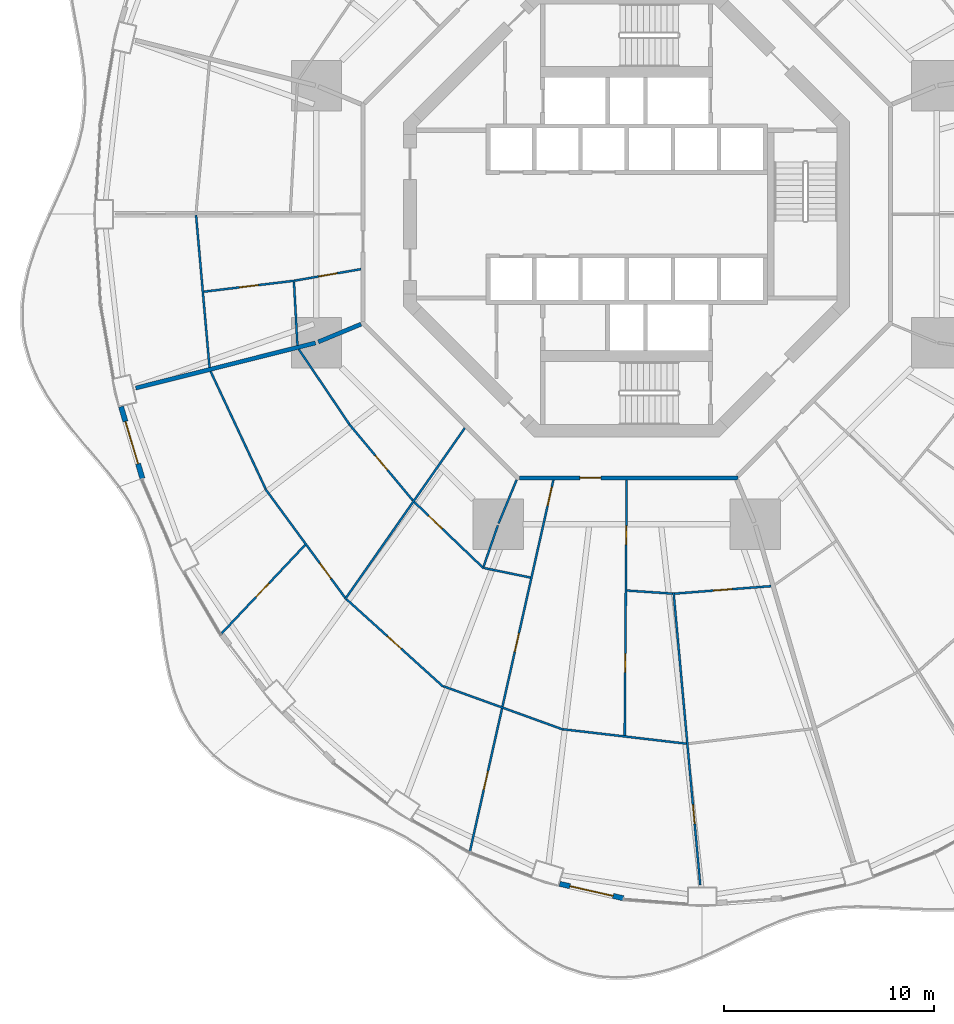
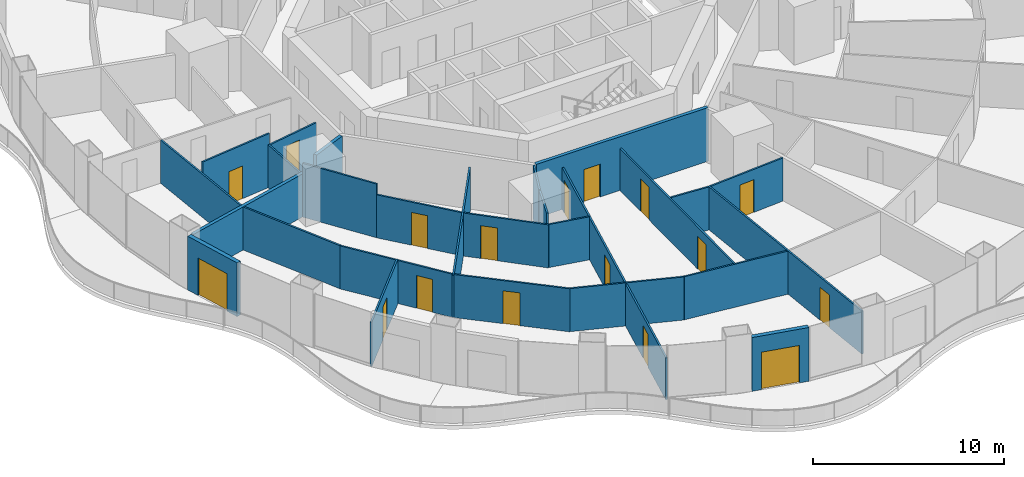
# One storey, part 14 of 22: 27 walls, 17 doors, 17 openings.
"""IFC4 building model written with IfcOpenShell, lengths in metres."""

from ifc_helpers import new_model, si_unit, direction, frame, frame_2d, origin, place, context, subcontext, project, spatial, rectangle, extrude, material, layer, layer_set, type_object, element, fill, save


model = new_model("IFC4")

# Units and contexts
model_context = context("Model", 3, precision=1e-05, world=origin(), true_north=direction((0.0, 1.0)))
body_context = subcontext(model_context, "Body", "Model", "MODEL_VIEW")
ifc_project = project(units=[si_unit("LENGTHUNIT", "METRE"), si_unit("AREAUNIT", "SQUARE_METRE"), si_unit("VOLUMEUNIT", "CUBIC_METRE"), si_unit("PLANEANGLEUNIT", "RADIAN"), si_unit("MASSUNIT", "GRAM", prefix="KILO")], contexts=[model_context])

# Site, building, storey
site_placement = place(None, origin())
site = spatial("IfcSite", under=ifc_project, at=site_placement, CompositionType="ELEMENT")
building_placement = place(site_placement, origin())
building = spatial("IfcBuilding", under=site, at=building_placement, Name="Nagisa Residences", CompositionType="ELEMENT")
storey_placement = place(building_placement, frame((0.0, 0.0, 49.199951171875)))
storey = spatial("IfcBuildingStorey", under=building, at=storey_placement, Name="L11", CompositionType="ELEMENT", Elevation=49.199951171875)

# Walls
ifc_material_1 = material(Name="Gypsum board on steel studs", Category="steel")
ifc_layer_1 = layer(ifc_material_1, 0.199951171875)
ifc_layer_set_1 = layer_set([ifc_layer_1], Name="Apartment compartment wall EI60 200")
wall_type_1 = type_object("IfcWallType", Name="Apartment compartment wall EI60 200", PredefinedType="PARTITIONING", material=ifc_layer_set_1)
wall_1_placement = place(storey_placement, frame((-12.6572265625, -5.24267578125, 0.0), z_axis=(0.0, 0.0, 1.0), x_axis=(-0.923885664896, -0.382668627144, 0.0)))
element("IfcWall", 1, at=wall_1_placement, inside=storey, type_object=wall_type_1, Name="wall:L11:u06", PredefinedType="PARTITIONING", context=body_context, shape_type="SweptSolid", body=[
    extrude(rectangle(XDim=2.200439453125, YDim=0.199951171875, at=frame_2d((1.10009765625, 0.0))), origin(), (0.0, 0.0, 1.0), 3.43994140625),
])
wall_2_placement = place(storey_placement, frame((-14.83056640625, -6.135009765625, 0.0), z_axis=(0.0, 0.0, 1.0), x_axis=(-0.969884949569, -0.243563512454, 0.0)))
element("IfcWall", 2, at=wall_2_placement, inside=storey, type_object=wall_type_1, Name="wall:L11:u07", PredefinedType="PARTITIONING", context=body_context, shape_type="SweptSolid", body=[
    extrude(rectangle(XDim=8.828857421875, YDim=0.199951171875, at=frame_2d((4.41455078125, 0.0))), origin(), (0.0, 0.0, 1.0), 2.756103515625),
])

# Wall, opening, door
ifc_material_2 = material(Name="Gypsum board on steel studs", Category="steel")
ifc_layer_2 = layer(ifc_material_2, 0.199951171875)
ifc_layer_set_2 = layer_set([ifc_layer_2], Name="Apartment entry wall EI60 200")
wall_type_2 = type_object("IfcWallType", Name="Apartment entry wall EI60 200", PredefinedType="PARTITIONING", material=ifc_layer_set_2)
wall_3_placement = place(storey_placement, frame((-5.1044921875, -12.564697265625, 0.0), z_axis=(0.0, 0.0, 1.0), x_axis=(1.0, 0.0, 0.0)))
wall_3 = element("IfcWall", 3, at=wall_3_placement, inside=storey, type_object=wall_type_2, Name="wall:L11:u16", PredefinedType="PARTITIONING", context=body_context, shape_type="SweptSolid", body=[
    extrude(rectangle(XDim=10.408935546875, YDim=0.199951171875, at=frame_2d((5.20458984375, 0.0))), origin(), (0.0, 0.0, 1.0), 3.43994140625),
])
opening_1_placement = place(wall_3_placement, frame((2.86962890625, 0.0, 0.0)))
opening_1 = element("IfcOpeningElement", 4, at=opening_1_placement, cuts=wall_3, Name="Opening L11-U15", PredefinedType="OPENING", context=body_context, shape_type="SweptSolid", body=[
    extrude(rectangle(XDim=1.0, YDim=2.10009765625, at=frame_2d((0.5, 1.050048828125))), frame((0.0, 0.10986328125, 0.0), z_axis=(0.0, -1.0, 0.0), x_axis=(1.0, 0.0, 0.0)), (0.0, 0.0, 1.0), 0.219970703125),
])
ifc_material_3 = material(Name="Timber fire door set", Category="wood")
door_type_1 = type_object("IfcDoorType", Name="Apartment entry door FD30S 1000x2100", OperationType="NOTDEFINED", PredefinedType="DOOR", material=ifc_material_3)
door_1_placement = place(opening_1_placement, frame((1.0, 0.0, 0.0), x_axis=(-1.0, 0.0, 0.0)))
door_1 = element("IfcDoor", 5, at=door_1_placement, inside=storey, type_object=door_type_1, Name="Entry door, Apartment 11C", OperationType="SINGLE_SWING_RIGHT", OverallHeight=2.10009765625, OverallWidth=1.0, PredefinedType="DOOR", context=body_context, shape_type="SweptSolid", body=[
    extrude(rectangle(XDim=1.0, YDim=2.10009765625, at=frame_2d((0.5, 1.050048828125))), frame((0.0, 0.02490234375, 0.0), z_axis=(0.0, -1.0, 0.0), x_axis=(1.0, 0.0, 0.0)), (0.0, 0.0, 1.0), 0.050048828125),
])
fill(opening_1, door_1)

# Wall
ifc_material_4 = material(Name="Gypsum board on steel studs", Category="steel")
ifc_layer_3 = layer(ifc_material_4, 0.10009765625)
ifc_layer_set_3 = layer_set([ifc_layer_3], Name="Apartment partition 100")
wall_type_3 = type_object("IfcWallType", Name="Apartment partition 100", PredefinedType="PARTITIONING", material=ifc_layer_set_3)
wall_4_placement = place(storey_placement, frame((-20.518310546875, -0.0498046875, 0.0), z_axis=(0.0, 0.0, 1.0), x_axis=(0.088143415068, -0.996107794558, 0.0)))
element("IfcWall", 6, at=wall_4_placement, inside=storey, type_object=wall_type_3, Name="wall:L11:u56", PredefinedType="PARTITIONING", context=body_context, shape_type="SweptSolid", body=[
    extrude(rectangle(XDim=7.279052734375, YDim=0.10009765625, at=frame_2d((3.6396484375, 0.0))), origin(), (0.0, 0.0, 1.0), 2.756103515625),
])

# Wall, opening, door
wall_5_placement = place(storey_placement, frame((-12.663330078125, -2.619384765625, 0.0), z_axis=(0.0, 0.0, 1.0), x_axis=(-0.985220176102, -0.171292745325, 0.0)))
wall_5 = element("IfcWall", 7, at=wall_5_placement, inside=storey, type_object=wall_type_3, Name="wall:L11:u57", PredefinedType="PARTITIONING", context=body_context, shape_type="SweptSolid", body=[
    extrude(rectangle(XDim=3.191162109375, YDim=0.10009765625, at=frame_2d((1.595703125, 0.0))), origin(), (0.0, 0.0, 1.0), 2.68701171875),
])
opening_2_placement = place(wall_5_placement, frame((1.1455078125, 0.0, 0.0)))
opening_2 = element("IfcOpeningElement", 8, at=opening_2_placement, cuts=wall_5, Name="Opening L11-U10", PredefinedType="OPENING", context=body_context, shape_type="SweptSolid", body=[
    extrude(rectangle(XDim=0.89990234375, YDim=2.10009765625, at=frame_2d((0.449951171875, 1.050048828125))), frame((0.0, 0.06005859375, 0.0), z_axis=(0.0, -1.0, 0.0), x_axis=(1.0, 0.0, 0.0)), (0.0, 0.0, 1.0), 0.1201171875),
])
ifc_material_5 = material(Name="Timber door set", Category="wood")
door_type_2 = type_object("IfcDoorType", Name="Apartment door 900x2100", OperationType="NOTDEFINED", PredefinedType="DOOR", material=ifc_material_5)
door_2_placement = place(opening_2_placement, origin())
door_2 = element("IfcDoor", 9, at=door_2_placement, inside=storey, type_object=door_type_2, Name="Door to family bathroom, Apartment 11B", OperationType="SINGLE_SWING_RIGHT", OverallHeight=2.10009765625, OverallWidth=0.89990234375, PredefinedType="DOOR", context=body_context, shape_type="SweptSolid", body=[
    extrude(rectangle(XDim=0.89990234375, YDim=2.10009765625, at=frame_2d((0.449951171875, 1.050048828125))), frame((0.0, 0.02490234375, 0.0), z_axis=(0.0, -1.0, 0.0), x_axis=(1.0, 0.0, 0.0)), (0.0, 0.0, 1.0), 0.050048828125),
])
fill(opening_2, door_2)

wall_6_placement = place(storey_placement, frame((-15.806884765625, -3.16845703125, 0.0), z_axis=(0.0, 0.0, 1.0), x_axis=(-0.992741666002, -0.120266306938, 0.0)))
wall_6 = element("IfcWall", 10, at=wall_6_placement, inside=storey, type_object=wall_type_3, Name="wall:L11:u58", PredefinedType="PARTITIONING", context=body_context, shape_type="SweptSolid", body=[
    extrude(rectangle(XDim=4.37060546875, YDim=0.10009765625, at=frame_2d((2.185302734375, 0.0))), origin(), (0.0, 0.0, 1.0), 3.43994140625),
])
opening_3_placement = place(wall_6_placement, frame((1.76025390625, 0.0, 0.0)))
opening_3 = element("IfcOpeningElement", 11, at=opening_3_placement, cuts=wall_6, Name="Opening L11-U12", PredefinedType="OPENING", context=body_context, shape_type="SweptSolid", body=[
    extrude(rectangle(XDim=0.89990234375, YDim=2.10009765625, at=frame_2d((0.449951171875, 1.050048828125))), frame((0.0, 0.06005859375, 0.0), z_axis=(0.0, -1.0, 0.0), x_axis=(1.0, 0.0, 0.0)), (0.0, 0.0, 1.0), 0.1201171875),
])
door_3_placement = place(opening_3_placement, origin())
door_3 = element("IfcDoor", 12, at=door_3_placement, inside=storey, type_object=door_type_2, Name="Door to family bathroom, Apartment 11B", OperationType="SINGLE_SWING_RIGHT", OverallHeight=2.10009765625, OverallWidth=0.89990234375, PredefinedType="DOOR", context=body_context, shape_type="SweptSolid", body=[
    extrude(rectangle(XDim=0.89990234375, YDim=2.10009765625, at=frame_2d((0.449951171875, 1.050048828125))), frame((0.0, 0.02490234375, 0.0), z_axis=(0.0, -1.0, 0.0), x_axis=(1.0, 0.0, 0.0)), (0.0, 0.0, 1.0), 0.050048828125),
])
fill(opening_3, door_3)

# Walls
wall_7_placement = place(storey_placement, frame((-15.853759765625, -3.224609375, 0.0), z_axis=(0.0, 0.0, 1.0), x_axis=(0.054644199943, -0.998505889523, 0.0)))
element("IfcWall", 13, at=wall_7_placement, inside=storey, type_object=wall_type_3, Name="wall:L11:u59", PredefinedType="PARTITIONING", context=body_context, shape_type="SweptSolid", body=[
    extrude(rectangle(XDim=3.029296875, YDim=0.10009765625, at=frame_2d((1.5146484375, 0.0))), origin(), (0.0, 0.0, 1.0), 2.756103515625),
])
wall_8_placement = place(storey_placement, frame((-15.626953125, -6.43212890625, 0.0), z_axis=(0.0, 0.0, 1.0), x_axis=(0.559112679527, -0.829091678641, 0.0)))
element("IfcWall", 14, at=wall_8_placement, inside=storey, type_object=wall_type_3, Name="wall:L11:u60", PredefinedType="PARTITIONING", context=body_context, shape_type="SweptSolid", body=[
    extrude(rectangle(XDim=4.30810546875, YDim=0.10009765625, at=frame_2d((2.154052734375, 0.0))), origin(), (0.0, 0.0, 1.0), 3.43994140625),
])
wall_9_placement = place(storey_placement, frame((-19.82568359375, -7.49072265625, 0.0), z_axis=(0.0, 0.0, 1.0), x_axis=(0.423926333401, -0.905696673202, 0.0)))
element("IfcWall", 15, at=wall_9_placement, inside=storey, type_object=wall_type_3, Name="wall:L11:u61", PredefinedType="PARTITIONING", context=body_context, shape_type="SweptSolid", body=[
    extrude(rectangle(XDim=6.1875, YDim=0.10009765625, at=frame_2d((3.09375, 0.0))), origin(), (0.0, 0.0, 1.0), 2.756103515625),
])

# Wall, opening, door
wall_10_placement = place(storey_placement, frame((-13.222412109375, -10.0068359375, 0.0), z_axis=(0.0, 0.0, 1.0), x_axis=(0.640807748916, -0.767701393075, 0.0)))
wall_10 = element("IfcWall", 16, at=wall_10_placement, inside=storey, type_object=wall_type_3, Name="wall:L11:u62", PredefinedType="PARTITIONING", context=body_context, shape_type="SweptSolid", body=[
    extrude(rectangle(XDim=4.73681640625, YDim=0.10009765625, at=frame_2d((2.368408203125, 0.0))), origin(), (0.0, 0.0, 1.0), 2.756103515625),
])
opening_4_placement = place(wall_10_placement, frame((1.943359375, 0.0, 0.0)))
opening_4 = element("IfcOpeningElement", 17, at=opening_4_placement, cuts=wall_10, Name="Opening L11-U27", PredefinedType="OPENING", context=body_context, shape_type="SweptSolid", body=[
    extrude(rectangle(XDim=0.89990234375, YDim=2.10009765625, at=frame_2d((0.449951171875, 1.050048828125))), frame((0.0, 0.06005859375, 0.0), z_axis=(0.0, -1.0, 0.0), x_axis=(1.0, 0.0, 0.0)), (0.0, 0.0, 1.0), 0.1201171875),
])
door_4_placement = place(opening_4_placement, origin())
door_4 = element("IfcDoor", 18, at=door_4_placement, inside=storey, type_object=door_type_2, Name="Door to laundry, Apartment 11C", OperationType="SINGLE_SWING_LEFT", OverallHeight=2.10009765625, OverallWidth=0.89990234375, PredefinedType="DOOR", context=body_context, shape_type="SweptSolid", body=[
    extrude(rectangle(XDim=0.89990234375, YDim=2.10009765625, at=frame_2d((0.449951171875, 1.050048828125))), frame((0.0, 0.02490234375, 0.0), z_axis=(0.0, -1.0, 0.0), x_axis=(1.0, 0.0, 0.0)), (0.0, 0.0, 1.0), 0.050048828125),
])
fill(opening_4, door_4)

wall_11_placement = place(storey_placement, frame((-17.2109375, -13.099609375, 0.0), z_axis=(0.0, 0.0, 1.0), x_axis=(0.591206785834, -0.806520016109, 0.0)))
wall_11 = element("IfcWall", 19, at=wall_11_placement, inside=storey, type_object=wall_type_3, Name="wall:L11:u63", PredefinedType="PARTITIONING", context=body_context, shape_type="SweptSolid", body=[
    extrude(rectangle(XDim=6.409912109375, YDim=0.10009765625, at=frame_2d((3.205078125, 0.0))), origin(), (0.0, 0.0, 1.0), 2.756103515625),
])
opening_5_placement = place(wall_11_placement, frame((4.382568359375, 0.0, 0.0)))
opening_5 = element("IfcOpeningElement", 20, at=opening_5_placement, cuts=wall_11, Name="Opening L11-U25", PredefinedType="OPENING", context=body_context, shape_type="SweptSolid", body=[
    extrude(rectangle(XDim=0.89990234375, YDim=2.10009765625, at=frame_2d((0.449951171875, 1.050048828125))), frame((0.0, 0.06005859375, 0.0), z_axis=(0.0, -1.0, 0.0), x_axis=(1.0, 0.0, 0.0)), (0.0, 0.0, 1.0), 0.1201171875),
])
door_5_placement = place(opening_5_placement, origin())
door_5 = element("IfcDoor", 21, at=door_5_placement, inside=storey, type_object=door_type_2, Name="Door to dining room, Apartment 11C", OperationType="SINGLE_SWING_LEFT", OverallHeight=2.10009765625, OverallWidth=0.89990234375, PredefinedType="DOOR", context=body_context, shape_type="SweptSolid", body=[
    extrude(rectangle(XDim=0.89990234375, YDim=2.10009765625, at=frame_2d((0.449951171875, 1.050048828125))), frame((0.0, 0.02490234375, 0.0), z_axis=(0.0, -1.0, 0.0), x_axis=(1.0, 0.0, 0.0)), (0.0, 0.0, 1.0), 0.050048828125),
])
fill(opening_5, door_5)

wall_12_placement = place(storey_placement, frame((-15.321044921875, -15.76123046875, 0.0), z_axis=(0.0, 0.0, 1.0), x_axis=(-0.686519245775, -0.727111631856, 0.0)))
wall_12 = element("IfcWall", 22, at=wall_12_placement, inside=storey, type_object=wall_type_3, Name="wall:L11:u64", PredefinedType="PARTITIONING", context=body_context, shape_type="SweptSolid", body=[
    extrude(rectangle(XDim=5.912109375, YDim=0.10009765625, at=frame_2d((2.9560546875, 0.0))), origin(), (0.0, 0.0, 1.0), 2.837158203125),
])
opening_6_placement = place(wall_12_placement, frame((2.506103515625, 0.0, 0.0)))
opening_6 = element("IfcOpeningElement", 23, at=opening_6_placement, cuts=wall_12, Name="Opening L11-U26", PredefinedType="OPENING", context=body_context, shape_type="SweptSolid", body=[
    extrude(rectangle(XDim=0.89990234375, YDim=2.10009765625, at=frame_2d((0.449951171875, 1.050048828125))), frame((0.0, 0.06005859375, 0.0), z_axis=(0.0, -1.0, 0.0), x_axis=(1.0, 0.0, 0.0)), (0.0, 0.0, 1.0), 0.1201171875),
])
door_6_placement = place(opening_6_placement, frame((0.89990234375, 0.0, 0.0), x_axis=(-1.0, 0.0, 0.0)))
door_6 = element("IfcDoor", 24, at=door_6_placement, inside=storey, type_object=door_type_2, Name="Door to master bedroom, Apartment 11C", OperationType="SINGLE_SWING_LEFT", OverallHeight=2.10009765625, OverallWidth=0.89990234375, PredefinedType="DOOR", context=body_context, shape_type="SweptSolid", body=[
    extrude(rectangle(XDim=0.89990234375, YDim=2.10009765625, at=frame_2d((0.449951171875, 1.050048828125))), frame((0.0, 0.02490234375, 0.0), z_axis=(0.0, -1.0, 0.0), x_axis=(1.0, 0.0, 0.0)), (0.0, 0.0, 1.0), 0.050048828125),
])
fill(opening_6, door_6)

# Wall
wall_13_placement = place(storey_placement, frame((-7.71533203125, -10.193359375, 0.0), z_axis=(0.0, 0.0, 1.0), x_axis=(-0.573126502256, -0.819466907454, 0.0)))
element("IfcWall", 25, at=wall_13_placement, inside=storey, type_object=wall_type_3, Name="wall:L11:u65", PredefinedType="PARTITIONING", context=body_context, shape_type="SweptSolid", body=[
    extrude(rectangle(XDim=9.954345703125, YDim=0.10009765625, at=frame_2d((4.97705078125, 0.0))), origin(), (0.0, 0.0, 1.0), 2.68701171875),
])

# Wall, opening, door
wall_14_placement = place(storey_placement, frame((-10.118896484375, -13.716064453125, 0.0), z_axis=(0.0, 0.0, 1.0), x_axis=(0.722763212502, -0.69109575216, 0.0)))
wall_14 = element("IfcWall", 26, at=wall_14_placement, inside=storey, type_object=wall_type_3, Name="wall:L11:u66", PredefinedType="PARTITIONING", context=body_context, shape_type="SweptSolid", body=[
    extrude(rectangle(XDim=4.587158203125, YDim=0.10009765625, at=frame_2d((2.29345703125, 0.0))), origin(), (0.0, 0.0, 1.0), 2.756103515625),
])
opening_7_placement = place(wall_14_placement, frame((0.9375, 0.0, 0.0)))
opening_7 = element("IfcOpeningElement", 27, at=opening_7_placement, cuts=wall_14, Name="Opening L11-U24", PredefinedType="OPENING", context=body_context, shape_type="SweptSolid", body=[
    extrude(rectangle(XDim=0.89990234375, YDim=2.10009765625, at=frame_2d((0.449951171875, 1.050048828125))), frame((0.0, 0.06005859375, 0.0), z_axis=(0.0, -1.0, 0.0), x_axis=(1.0, 0.0, 0.0)), (0.0, 0.0, 1.0), 0.1201171875),
])
door_7_placement = place(opening_7_placement, origin())
door_7 = element("IfcDoor", 28, at=door_7_placement, inside=storey, type_object=door_type_2, Name="Door to store, Apartment 11C", OperationType="SINGLE_SWING_RIGHT", OverallHeight=2.10009765625, OverallWidth=0.89990234375, PredefinedType="DOOR", context=body_context, shape_type="SweptSolid", body=[
    extrude(rectangle(XDim=0.89990234375, YDim=2.10009765625, at=frame_2d((0.449951171875, 1.050048828125))), frame((0.0, 0.02490234375, 0.0), z_axis=(0.0, -1.0, 0.0), x_axis=(1.0, 0.0, 0.0)), (0.0, 0.0, 1.0), 0.050048828125),
])
fill(opening_7, door_7)

wall_15_placement = place(storey_placement, frame((-13.354736328125, -18.34326171875, 0.0), z_axis=(0.0, 0.0, 1.0), x_axis=(0.741720189244, -0.670709445936, 0.0)))
wall_15 = element("IfcWall", 29, at=wall_15_placement, inside=storey, type_object=wall_type_3, Name="wall:L11:u67", PredefinedType="PARTITIONING", context=body_context, shape_type="SweptSolid", body=[
    extrude(rectangle(XDim=6.209228515625, YDim=0.10009765625, at=frame_2d((3.1044921875, 0.0))), origin(), (0.0, 0.0, 1.0), 2.756103515625),
])
opening_8_placement = place(wall_15_placement, frame((2.629638671875, 0.0, 0.0)))
opening_8 = element("IfcOpeningElement", 30, at=opening_8_placement, cuts=wall_15, Name="Opening L11-U21", PredefinedType="OPENING", context=body_context, shape_type="SweptSolid", body=[
    extrude(rectangle(XDim=0.89990234375, YDim=2.10009765625, at=frame_2d((0.449951171875, 1.050048828125))), frame((0.0, 0.06005859375, 0.0), z_axis=(0.0, -1.0, 0.0), x_axis=(1.0, 0.0, 0.0)), (0.0, 0.0, 1.0), 0.1201171875),
])
door_8_placement = place(opening_8_placement, frame((0.89990234375, 0.0, 0.0), x_axis=(-1.0, 0.0, 0.0)))
door_8 = element("IfcDoor", 31, at=door_8_placement, inside=storey, type_object=door_type_2, Name="Door to living room, Apartment 11C", OperationType="SINGLE_SWING_RIGHT", OverallHeight=2.10009765625, OverallWidth=0.89990234375, PredefinedType="DOOR", context=body_context, shape_type="SweptSolid", body=[
    extrude(rectangle(XDim=0.89990234375, YDim=2.10009765625, at=frame_2d((0.449951171875, 1.050048828125))), frame((0.0, 0.02490234375, 0.0), z_axis=(0.0, -1.0, 0.0), x_axis=(1.0, 0.0, 0.0)), (0.0, 0.0, 1.0), 0.050048828125),
])
fill(opening_8, door_8)

# Walls
wall_16_placement = place(storey_placement, frame((-5.24267578125, -12.6572265625, 0.0), z_axis=(0.0, 0.0, 1.0), x_axis=(-0.382719158442, -0.923864733477, 0.0)))
element("IfcWall", 32, at=wall_16_placement, inside=storey, type_object=wall_type_3, Name="wall:L11:u68", PredefinedType="PARTITIONING", context=body_context, shape_type="SweptSolid", body=[
    extrude(rectangle(XDim=2.25, YDim=0.10009765625, at=frame_2d((1.125, 0.0))), origin(), (0.0, 0.0, 1.0), 3.43994140625),
])
wall_17_placement = place(storey_placement, frame((-6.139404296875, -14.829833984375, 0.0), z_axis=(0.0, 0.0, 1.0), x_axis=(-0.327246993321, -0.944938836837, 0.0)))
element("IfcWall", 33, at=wall_17_placement, inside=storey, type_object=wall_type_3, Name="wall:L11:u69", PredefinedType="PARTITIONING", context=body_context, shape_type="SweptSolid", body=[
    extrude(rectangle(XDim=2.089599609375, YDim=0.10009765625, at=frame_2d((1.044921875, 0.0))), origin(), (0.0, 0.0, 1.0), 3.43994140625),
])
wall_18_placement = place(storey_placement, frame((-6.79052734375, -16.861572265625, 0.0), z_axis=(0.0, 0.0, 1.0), x_axis=(0.979581941859, -0.201045316246, 0.0)))
element("IfcWall", 34, at=wall_18_placement, inside=storey, type_object=wall_type_3, Name="wall:L11:u70", PredefinedType="PARTITIONING", context=body_context, shape_type="SweptSolid", body=[
    extrude(rectangle(XDim=2.25634765625, YDim=0.10009765625, at=frame_2d((1.128173828125, 0.0))), origin(), (0.0, 0.0, 1.0), 2.756103515625),
])
wall_19_placement = place(storey_placement, frame((-8.7392578125, -22.4912109375, 0.0), z_axis=(0.0, 0.0, 1.0), x_axis=(0.940401691072, -0.340065669288, 0.0)))
element("IfcWall", 35, at=wall_19_placement, inside=storey, type_object=wall_type_3, Name="wall:L11:u71", PredefinedType="PARTITIONING", context=body_context, shape_type="SweptSolid", body=[
    extrude(rectangle(XDim=6.067138671875, YDim=0.10009765625, at=frame_2d((3.03369140625, 0.0))), origin(), (0.0, 0.0, 1.0), 2.756103515625),
])

# Wall, openings, doors
wall_20_placement = place(storey_placement, frame((-3.49169921875, -12.662353515625, 0.0), z_axis=(0.0, 0.0, 1.0), x_axis=(-0.219268088006, -0.975664648115, 0.0)))
wall_20 = element("IfcWall", 36, at=wall_20_placement, inside=storey, type_object=wall_type_3, Name="wall:L11:u72", PredefinedType="PARTITIONING", context=body_context, shape_type="SweptSolid", body=[
    extrude(rectangle(XDim=18.230224609375, YDim=0.10009765625, at=frame_2d((9.115234375, 0.0))), origin(), (0.0, 0.0, 1.0), 2.68701171875),
])
opening_9_placement = place(wall_20_placement, frame((0.35009765625, 0.0, 0.0)))
opening_9 = element("IfcOpeningElement", 37, at=opening_9_placement, cuts=wall_20, Name="Opening L11-U16", PredefinedType="OPENING", context=body_context, shape_type="SweptSolid", body=[
    extrude(rectangle(XDim=0.89990234375, YDim=2.10009765625, at=frame_2d((0.449951171875, 1.050048828125))), frame((0.0, 0.06005859375, 0.0), z_axis=(0.0, -1.0, 0.0), x_axis=(1.0, 0.0, 0.0)), (0.0, 0.0, 1.0), 0.1201171875),
])
opening_10_placement = place(wall_20_placement, frame((7.49658203125, 0.0, 0.0)))
opening_10 = element("IfcOpeningElement", 38, at=opening_10_placement, cuts=wall_20, Name="Opening L11-U18", PredefinedType="OPENING", context=body_context, shape_type="SweptSolid", body=[
    extrude(rectangle(XDim=0.89990234375, YDim=2.10009765625, at=frame_2d((0.449951171875, 1.050048828125))), frame((0.0, 0.06005859375, 0.0), z_axis=(0.0, -1.0, 0.0), x_axis=(1.0, 0.0, 0.0)), (0.0, 0.0, 1.0), 0.1201171875),
])
opening_11_placement = place(wall_20_placement, frame((14.22265625, 0.0, 0.0)))
opening_11 = element("IfcOpeningElement", 39, at=opening_11_placement, cuts=wall_20, Name="Opening L11-U22", PredefinedType="OPENING", context=body_context, shape_type="SweptSolid", body=[
    extrude(rectangle(XDim=0.89990234375, YDim=2.10009765625, at=frame_2d((0.449951171875, 1.050048828125))), frame((0.0, 0.06005859375, 0.0), z_axis=(0.0, -1.0, 0.0), x_axis=(1.0, 0.0, 0.0)), (0.0, 0.0, 1.0), 0.1201171875),
])
door_9_placement = place(opening_9_placement, frame((0.89990234375, 0.0, 0.0), x_axis=(-1.0, 0.0, 0.0)))
door_9 = element("IfcDoor", 40, at=door_9_placement, inside=storey, type_object=door_type_2, Name="Door to family bathroom, Apartment 11C", OperationType="SINGLE_SWING_LEFT", OverallHeight=2.10009765625, OverallWidth=0.89990234375, PredefinedType="DOOR", context=body_context, shape_type="SweptSolid", body=[
    extrude(rectangle(XDim=0.89990234375, YDim=2.10009765625, at=frame_2d((0.449951171875, 1.050048828125))), frame((0.0, 0.02490234375, 0.0), z_axis=(0.0, -1.0, 0.0), x_axis=(1.0, 0.0, 0.0)), (0.0, 0.0, 1.0), 0.050048828125),
])
fill(opening_9, door_9)
door_10_placement = place(opening_10_placement, frame((0.89990234375, 0.0, 0.0), x_axis=(-1.0, 0.0, 0.0)))
door_10 = element("IfcDoor", 41, at=door_10_placement, inside=storey, type_object=door_type_2, Name="Door to family room, Apartment 11C", OperationType="SINGLE_SWING_LEFT", OverallHeight=2.10009765625, OverallWidth=0.89990234375, PredefinedType="DOOR", context=body_context, shape_type="SweptSolid", body=[
    extrude(rectangle(XDim=0.89990234375, YDim=2.10009765625, at=frame_2d((0.449951171875, 1.050048828125))), frame((0.0, 0.02490234375, 0.0), z_axis=(0.0, -1.0, 0.0), x_axis=(1.0, 0.0, 0.0)), (0.0, 0.0, 1.0), 0.050048828125),
])
fill(opening_10, door_10)
door_11_placement = place(opening_11_placement, origin())
door_11 = element("IfcDoor", 42, at=door_11_placement, inside=storey, type_object=door_type_2, Name="Door to dining room, Apartment 11C", OperationType="SINGLE_SWING_RIGHT", OverallHeight=2.10009765625, OverallWidth=0.89990234375, PredefinedType="DOOR", context=body_context, shape_type="SweptSolid", body=[
    extrude(rectangle(XDim=0.89990234375, YDim=2.10009765625, at=frame_2d((0.449951171875, 1.050048828125))), frame((0.0, 0.02490234375, 0.0), z_axis=(0.0, -1.0, 0.0), x_axis=(1.0, 0.0, 0.0)), (0.0, 0.0, 1.0), 0.050048828125),
])
fill(opening_11, door_11)

# Wall
wall_21_placement = place(storey_placement, frame((-3.03125, -24.543212890625, 0.0), z_axis=(0.0, 0.0, 1.0), x_axis=(0.993255612046, -0.115945198862, 0.0)))
element("IfcWall", 43, at=wall_21_placement, inside=storey, type_object=wall_type_3, Name="wall:L11:u73", PredefinedType="PARTITIONING", context=body_context, shape_type="SweptSolid", body=[
    extrude(rectangle(XDim=5.91259765625, YDim=0.10009765625, at=frame_2d((2.956298828125, 0.0))), origin(), (0.0, 0.0, 1.0), 2.756103515625),
])

# Wall, openings, doors
wall_22_placement = place(storey_placement, frame((-0.000732421875, -12.664794921875, 0.0), z_axis=(0.0, 0.0, 1.0), x_axis=(-0.007702417287, -0.999970335944, 0.0)))
wall_22 = element("IfcWall", 44, at=wall_22_placement, inside=storey, type_object=wall_type_3, Name="wall:L11:u74", PredefinedType="PARTITIONING", context=body_context, shape_type="SweptSolid", body=[
    extrude(rectangle(XDim=12.17138671875, YDim=0.10009765625, at=frame_2d((6.085693359375, 0.0))), origin(), (0.0, 0.0, 1.0), 2.68701171875),
])
opening_12_placement = place(wall_22_placement, frame((2.182861328125, 0.0, 0.0)))
opening_12 = element("IfcOpeningElement", 45, at=opening_12_placement, cuts=wall_22, Name="Opening L11-U17", PredefinedType="OPENING", context=body_context, shape_type="SweptSolid", body=[
    extrude(rectangle(XDim=0.89990234375, YDim=2.10009765625, at=frame_2d((0.449951171875, 1.050048828125))), frame((0.0, 0.06005859375, 0.0), z_axis=(0.0, -1.0, 0.0), x_axis=(1.0, 0.0, 0.0)), (0.0, 0.0, 1.0), 0.1201171875),
])
opening_13_placement = place(wall_22_placement, frame((8.268798828125, 0.0, 0.0)))
opening_13 = element("IfcOpeningElement", 46, at=opening_13_placement, cuts=wall_22, Name="Opening L11-U19", PredefinedType="OPENING", context=body_context, shape_type="SweptSolid", body=[
    extrude(rectangle(XDim=0.89990234375, YDim=2.10009765625, at=frame_2d((0.449951171875, 1.050048828125))), frame((0.0, 0.06005859375, 0.0), z_axis=(0.0, -1.0, 0.0), x_axis=(1.0, 0.0, 0.0)), (0.0, 0.0, 1.0), 0.1201171875),
])
door_12_placement = place(opening_12_placement, origin())
door_12 = element("IfcDoor", 47, at=door_12_placement, inside=storey, type_object=door_type_2, Name="Door to store, Apartment 11C", OperationType="SINGLE_SWING_LEFT", OverallHeight=2.10009765625, OverallWidth=0.89990234375, PredefinedType="DOOR", context=body_context, shape_type="SweptSolid", body=[
    extrude(rectangle(XDim=0.89990234375, YDim=2.10009765625, at=frame_2d((0.449951171875, 1.050048828125))), frame((0.0, 0.02490234375, 0.0), z_axis=(0.0, -1.0, 0.0), x_axis=(1.0, 0.0, 0.0)), (0.0, 0.0, 1.0), 0.050048828125),
])
fill(opening_12, door_12)
door_13_placement = place(opening_13_placement, origin())
door_13 = element("IfcDoor", 48, at=door_13_placement, inside=storey, type_object=door_type_2, Name="Door to family bathroom, Apartment 11C", OperationType="SINGLE_SWING_LEFT", OverallHeight=2.10009765625, OverallWidth=0.89990234375, PredefinedType="DOOR", context=body_context, shape_type="SweptSolid", body=[
    extrude(rectangle(XDim=0.89990234375, YDim=2.10009765625, at=frame_2d((0.449951171875, 1.050048828125))), frame((0.0, 0.02490234375, 0.0), z_axis=(0.0, -1.0, 0.0), x_axis=(1.0, 0.0, 0.0)), (0.0, 0.0, 1.0), 0.050048828125),
])
fill(opening_13, door_13)

# Wall
wall_23_placement = place(storey_placement, frame((0.008544921875, -17.933837890625, 0.0), z_axis=(0.0, 0.0, 1.0), x_axis=(0.997794542617, -0.066378089183, 0.0)))
element("IfcWall", 49, at=wall_23_placement, inside=storey, type_object=wall_type_3, Name="wall:L11:u75", PredefinedType="PARTITIONING", context=body_context, shape_type="SweptSolid", body=[
    extrude(rectangle(XDim=2.184814453125, YDim=0.10009765625, at=frame_2d((1.09228515625, 0.0))), origin(), (0.0, 0.0, 1.0), 2.756103515625),
])

# Wall, opening, door
wall_24_placement = place(storey_placement, frame((2.23388671875, -18.032470703125, 0.0), z_axis=(0.0, 0.0, 1.0), x_axis=(0.090891502968, -0.995860800859, 0.0)))
wall_24 = element("IfcWall", 50, at=wall_24_placement, inside=storey, type_object=wall_type_3, Name="wall:L11:u76", PredefinedType="PARTITIONING", context=body_context, shape_type="SweptSolid", body=[
    extrude(rectangle(XDim=13.983642578125, YDim=0.10009765625, at=frame_2d((6.99169921875, 0.0))), origin(), (0.0, 0.0, 1.0), 2.756103515625),
])
opening_14_placement = place(wall_24_placement, frame((10.157958984375, 0.0, 0.0)))
opening_14 = element("IfcOpeningElement", 51, at=opening_14_placement, cuts=wall_24, Name="Opening L11-U23", PredefinedType="OPENING", context=body_context, shape_type="SweptSolid", body=[
    extrude(rectangle(XDim=0.89990234375, YDim=2.10009765625, at=frame_2d((0.449951171875, 1.050048828125))), frame((0.0, 0.06005859375, 0.0), z_axis=(0.0, -1.0, 0.0), x_axis=(1.0, 0.0, 0.0)), (0.0, 0.0, 1.0), 0.1201171875),
])
door_14_placement = place(opening_14_placement, origin())
door_14 = element("IfcDoor", 52, at=door_14_placement, inside=storey, type_object=door_type_2, Name="Door to master bedroom, Apartment 11C", OperationType="SINGLE_SWING_LEFT", OverallHeight=2.10009765625, OverallWidth=0.89990234375, PredefinedType="DOOR", context=body_context, shape_type="SweptSolid", body=[
    extrude(rectangle(XDim=0.89990234375, YDim=2.10009765625, at=frame_2d((0.449951171875, 1.050048828125))), frame((0.0, 0.02490234375, 0.0), z_axis=(0.0, -1.0, 0.0), x_axis=(1.0, 0.0, 0.0)), (0.0, 0.0, 1.0), 0.050048828125),
])
fill(opening_14, door_14)

wall_25_placement = place(storey_placement, frame((2.288330078125, -18.078369140625, 0.0), z_axis=(0.0, 0.0, 1.0), x_axis=(0.99701850123, 0.077162868047, 0.0)))
wall_25 = element("IfcWall", 53, at=wall_25_placement, inside=storey, type_object=wall_type_3, Name="wall:L11:u77", PredefinedType="PARTITIONING", context=body_context, shape_type="SweptSolid", body=[
    extrude(rectangle(XDim=4.603515625, YDim=0.10009765625, at=frame_2d((2.3017578125, 0.0))), origin(), (0.0, 0.0, 1.0), 2.756103515625),
])
opening_15_placement = place(wall_25_placement, frame((1.851806640625, 0.0, 0.0)))
opening_15 = element("IfcOpeningElement", 54, at=opening_15_placement, cuts=wall_25, Name="Opening L11-U20", PredefinedType="OPENING", context=body_context, shape_type="SweptSolid", body=[
    extrude(rectangle(XDim=0.89990234375, YDim=2.10009765625, at=frame_2d((0.449951171875, 1.050048828125))), frame((0.0, 0.06005859375, 0.0), z_axis=(0.0, -1.0, 0.0), x_axis=(1.0, 0.0, 0.0)), (0.0, 0.0, 1.0), 0.1201171875),
])
door_15_placement = place(opening_15_placement, frame((0.89990234375, 0.0, 0.0), x_axis=(-1.0, 0.0, 0.0)))
door_15 = element("IfcDoor", 55, at=door_15_placement, inside=storey, type_object=door_type_2, Name="Door to kitchen, Apartment 11C", OperationType="SINGLE_SWING_LEFT", OverallHeight=2.10009765625, OverallWidth=0.89990234375, PredefinedType="DOOR", context=body_context, shape_type="SweptSolid", body=[
    extrude(rectangle(XDim=0.89990234375, YDim=2.10009765625, at=frame_2d((0.449951171875, 1.050048828125))), frame((0.0, 0.02490234375, 0.0), z_axis=(0.0, -1.0, 0.0), x_axis=(1.0, 0.0, 0.0)), (0.0, 0.0, 1.0), 0.050048828125),
])
fill(opening_15, door_15)

ifc_material_6 = material(Name="Precast concrete C40/50", Category="concrete")
ifc_layer_4 = layer(ifc_material_6, 0.25)
ifc_layer_set_4 = layer_set([ifc_layer_4], Name="BALCONY DOOR WALL 250")
wall_type_4 = type_object("IfcWallType", Name="BALCONY DOOR WALL 250", PredefinedType="SOLIDWALL", material=ifc_layer_set_4)
wall_26_placement = place(storey_placement, frame((-23.07275390625, -12.5927734375, 0.0), z_axis=(0.0, 0.0, 1.0), x_axis=(-0.285871309426, 0.958268018065, 0.0)))
wall_26 = element("IfcWall", 56, at=wall_26_placement, inside=storey, type_object=wall_type_4, Name="wall:L11:bay26", PredefinedType="SOLIDWALL", context=body_context, shape_type="SweptSolid", body=[
    extrude(rectangle(XDim=3.5654296875, YDim=0.25, at=frame_2d((1.78271484375, 0.0))), origin(), (0.0, 0.0, 1.0), 3.43994140625),
])
opening_16_placement = place(wall_26_placement, frame((0.732666015625, 0.0, 0.0)))
opening_16 = element("IfcOpeningElement", 57, at=opening_16_placement, cuts=wall_26, Name="Opening BD-L11-09", PredefinedType="OPENING", context=body_context, shape_type="SweptSolid", body=[
    extrude(rectangle(XDim=2.10009765625, YDim=2.39990234375, at=frame_2d((1.050048828125, 1.199951171875))), frame((0.0, 0.135009765625, 0.0), z_axis=(0.0, -1.0, 0.0), x_axis=(1.0, 0.0, 0.0)), (0.0, 0.0, 1.0), 0.27001953125),
])
ifc_material_7 = material(Name="Aluminium and clear glass", Category="aluminium")
door_type_3 = type_object("IfcDoorType", Name="BALCONY SLIDING DOOR 2100x2400", OperationType="SLIDING_TO_LEFT", PredefinedType="DOOR", material=ifc_material_7)
door_16_placement = place(opening_16_placement, origin())
door_16 = element("IfcDoor", 58, at=door_16_placement, inside=storey, type_object=door_type_3, Name="door:L11:bay26", OperationType="SLIDING_TO_LEFT", OverallHeight=2.39990234375, OverallWidth=2.10009765625, PredefinedType="DOOR", context=body_context, shape_type="SweptSolid", body=[
    extrude(rectangle(XDim=2.10009765625, YDim=2.39990234375, at=frame_2d((1.050048828125, 1.199951171875))), frame((0.0, 0.02490234375, 0.0), z_axis=(0.0, -1.0, 0.0), x_axis=(1.0, 0.0, 0.0)), (0.0, 0.0, 1.0), 0.050048828125),
])
fill(opening_16, door_16)

wall_27_placement = place(storey_placement, frame((-0.15771484375, -32.595703125, 0.0), z_axis=(0.0, 0.0, 1.0), x_axis=(-0.975331134677, 0.220746863466, 0.0)))
wall_27 = element("IfcWall", 59, at=wall_27_placement, inside=storey, type_object=wall_type_4, Name="wall:L11:bay34", PredefinedType="SOLIDWALL", context=body_context, shape_type="SweptSolid", body=[
    extrude(rectangle(XDim=3.114501953125, YDim=0.25, at=frame_2d((1.55712890625, 0.0))), origin(), (0.0, 0.0, 1.0), 3.43994140625),
])
opening_17_placement = place(wall_27_placement, frame((0.50732421875, 0.0, 0.0)))
opening_17 = element("IfcOpeningElement", 60, at=opening_17_placement, cuts=wall_27, Name="Opening BD-L11-12", PredefinedType="OPENING", context=body_context, shape_type="SweptSolid", body=[
    extrude(rectangle(XDim=2.10009765625, YDim=2.39990234375, at=frame_2d((1.050048828125, 1.199951171875))), frame((0.0, 0.135009765625, 0.0), z_axis=(0.0, -1.0, 0.0), x_axis=(1.0, 0.0, 0.0)), (0.0, 0.0, 1.0), 0.27001953125),
])
door_17_placement = place(opening_17_placement, origin())
door_17 = element("IfcDoor", 61, at=door_17_placement, inside=storey, type_object=door_type_3, Name="door:L11:bay34", OperationType="SLIDING_TO_LEFT", OverallHeight=2.39990234375, OverallWidth=2.10009765625, PredefinedType="DOOR", context=body_context, shape_type="SweptSolid", body=[
    extrude(rectangle(XDim=2.10009765625, YDim=2.39990234375, at=frame_2d((1.050048828125, 1.199951171875))), frame((0.0, 0.02490234375, 0.0), z_axis=(0.0, -1.0, 0.0), x_axis=(1.0, 0.0, 0.0)), (0.0, 0.0, 1.0), 0.050048828125),
])
fill(opening_17, door_17)

save(model, "model.ifc")
